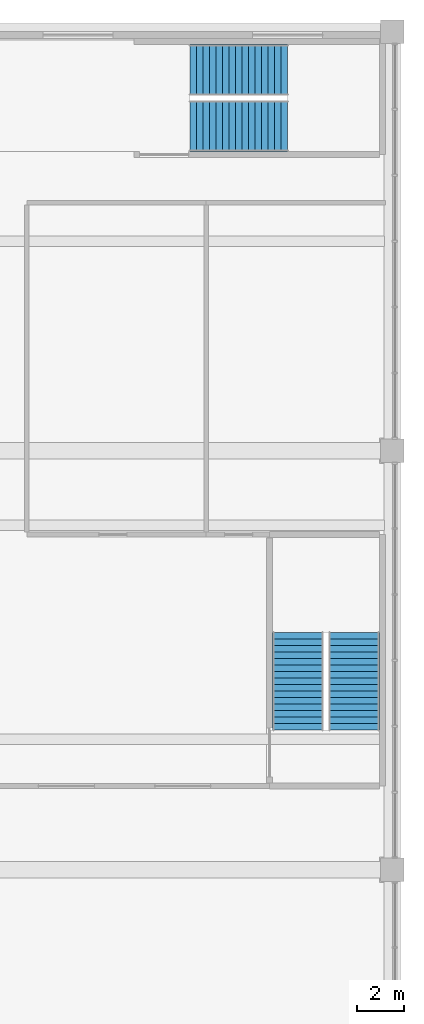
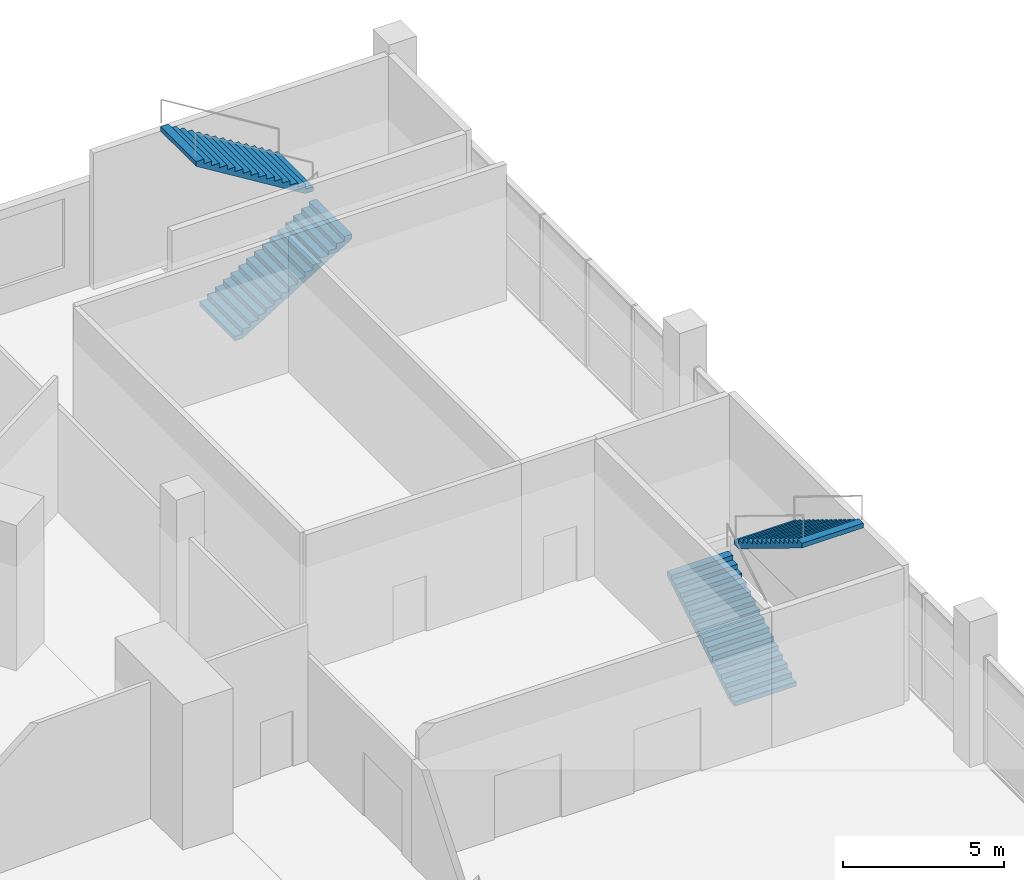
# One storey, part 14 of 16: 4 stair flights, 2 elements without a shape of their own.
"""IFC4 building model written with IfcOpenShell, lengths in metres."""

from ifc_helpers import new_model, si_unit, direction, frame, origin, place, context, subcontext, project, spatial, triangles, source, transform, mapped, material, type_object, element, aggregate, save


model = new_model("IFC4")

# Units and contexts
model_context = context("Model", 3, precision=1e-05, world=origin(), true_north=direction((0.0, 1.0)))
body_context = subcontext(model_context, "Body", "Model", "MODEL_VIEW")
ifc_project = project(units=[si_unit("LENGTHUNIT", "METRE"), si_unit("AREAUNIT", "SQUARE_METRE"), si_unit("VOLUMEUNIT", "CUBIC_METRE"), si_unit("PLANEANGLEUNIT", "RADIAN"), si_unit("MASSUNIT", "GRAM", prefix="KILO")], contexts=[model_context])

# Site, building, storey
site_placement = place(None, origin())
site = spatial("IfcSite", under=ifc_project, at=site_placement, CompositionType="ELEMENT")
building_placement = place(site_placement, origin())
building = spatial("IfcBuilding", under=site, at=building_placement, Name="Vanh Sen Convention Tower", CompositionType="ELEMENT")
storey_placement = place(building_placement, frame((0.0, 0.0, 29.0)))
storey = spatial("IfcBuildingStorey", under=building, at=storey_placement, Name="L04", CompositionType="ELEMENT", Elevation=29.0)

# Stair, stair flights
ifc_material = material(Name="Concrete C40/50", Category="concrete")
stair_type = type_object("IfcStairType", Name="Podium exit stair 2200", PredefinedType="HALF_TURN_STAIR", material=ifc_material)
stair_1_placement = place(storey_placement, origin())
stair_1 = element("IfcStair", 1, at=stair_1_placement, inside=storey, type_object=stair_type, Name="Exit stair PS1 L04", PredefinedType="HALF_TURN_STAIR")
stair_flight_type = type_object("IfcStairFlightType", Name="Podium exit stair flight 2200", PredefinedType="STRAIGHT", material=ifc_material)
shared_shape = source(origin(), body_context, "Body", "Tessellation", [
    triangles([(0.28662109375, 1.10009765625, 0.0), (0.0, 1.10009765625, 0.0), (0.0, 1.10009765625, 0.171875), (0.280029296875, 1.10009765625, 0.171875), (0.280029296875, 1.10009765625, 0.34375), (0.56005859375, 1.10009765625, 0.34375), (0.56005859375, 1.10009765625, 0.515625), (0.840087890625, 1.10009765625, 0.515625), (0.840087890625, 1.10009765625, 0.6875), (1.1201171875, 1.10009765625, 0.6875), (1.1201171875, 1.10009765625, 0.859375), (1.39990234375, 1.10009765625, 0.859375), (1.39990234375, 1.10009765625, 1.03125), (1.679931640625, 1.10009765625, 1.03125), (1.679931640625, 1.10009765625, 1.203125), (1.9599609375, 1.10009765625, 1.203125), (1.9599609375, 1.10009765625, 1.375), (2.239990234375, 1.10009765625, 1.375), (2.239990234375, 1.10009765625, 1.546875), (2.52001953125, 1.10009765625, 1.546875), (2.52001953125, 1.10009765625, 1.71875), (2.800048828125, 1.10009765625, 1.71875), (2.800048828125, 1.10009765625, 1.890625), (3.080078125, 1.10009765625, 1.890625), (3.080078125, 1.10009765625, 2.0625), (3.360107421875, 1.10009765625, 2.0625), (3.360107421875, 1.10009765625, 2.234375), (3.639892578125, 1.10009765625, 2.234375), (3.639892578125, 1.10009765625, 2.40625), (3.919921875, 1.10009765625, 2.40625), (3.919921875, 1.10009765625, 2.578125), (4.199951171875, 1.10009765625, 2.578125), (4.199951171875, 1.10009765625, 2.40234375), (0.28662109375, -1.10009765625, 0.0), (0.0, -1.10009765625, 0.0), (0.0, -1.10009765625, 0.171875), (0.280029296875, -1.10009765625, 0.171875), (0.280029296875, -1.10009765625, 0.34375), (0.56005859375, -1.10009765625, 0.34375), (0.56005859375, -1.10009765625, 0.515625), (0.840087890625, -1.10009765625, 0.515625), (0.840087890625, -1.10009765625, 0.6875), (1.1201171875, -1.10009765625, 0.6875), (1.1201171875, -1.10009765625, 0.859375), (1.39990234375, -1.10009765625, 0.859375), (1.39990234375, -1.10009765625, 1.03125), (1.679931640625, -1.10009765625, 1.03125), (1.679931640625, -1.10009765625, 1.203125), (1.9599609375, -1.10009765625, 1.203125), (1.9599609375, -1.10009765625, 1.375), (2.239990234375, -1.10009765625, 1.375), (2.239990234375, -1.10009765625, 1.546875), (2.52001953125, -1.10009765625, 1.546875), (2.52001953125, -1.10009765625, 1.71875), (2.800048828125, -1.10009765625, 1.71875), (2.800048828125, -1.10009765625, 1.890625), (3.080078125, -1.10009765625, 1.890625), (3.080078125, -1.10009765625, 2.0625), (3.360107421875, -1.10009765625, 2.0625), (3.360107421875, -1.10009765625, 2.234375), (3.639892578125, -1.10009765625, 2.234375), (3.639892578125, -1.10009765625, 2.40625), (3.919921875, -1.10009765625, 2.40625), (3.919921875, -1.10009765625, 2.578125), (4.199951171875, -1.10009765625, 2.578125), (4.199951171875, -1.10009765625, 2.40234375), (0.0, 0.0439453125, 0.0), (0.0, 0.04296875, 0.0), (0.0, 0.0419921875, 0.0), (0.0, 0.04052734375, 0.0), (0.0, 0.03955078125, 0.0), (0.0, 0.03857421875, 0.0), (0.0, 0.03759765625, 0.0), (0.0, 0.0361328125, 0.0), (0.0, 0.03515625, 0.0), (0.0, 0.0341796875, 0.0), (0.0, 0.033203125, 0.0), (0.0, 0.03173828125, 0.0), (0.0, 0.03076171875, 0.0), (0.0, 0.02978515625, 0.0), (0.0, 0.02880859375, 0.0), (0.0, 0.02734375, 0.0), (0.0, 0.0263671875, 0.0), (0.0, 0.025390625, 0.0), (0.0, 0.0244140625, 0.0), (0.0, 0.02294921875, 0.0), (0.0, 0.02197265625, 0.0), (0.0, 0.02099609375, 0.0), (0.0, 0.02001953125, 0.0), (0.0, 0.0185546875, 0.0), (0.0, 0.017578125, 0.0), (0.0, 0.0166015625, 0.0), (0.0, 0.015625, 0.0), (0.0, 0.01416015625, 0.0), (0.0, 0.01318359375, 0.0), (0.0, 0.01220703125, 0.0), (0.0, 0.01123046875, 0.0), (0.0, 0.009765625, 0.0), (0.0, 0.0087890625, 0.0), (0.0, 0.0078125, 0.0), (0.0, 0.0068359375, 0.0), (0.0, 0.00537109375, 0.0), (0.0, 0.00439453125, 0.0), (0.0, 0.00341796875, 0.0), (0.0, 0.00244140625, 0.0), (0.0, 0.0009765625, 0.0), (0.0, 0.0, 0.0), (0.0, -0.0009765625, 0.0), (0.0, -0.00244140625, 0.0), (0.0, -0.00341796875, 0.0), (0.0, -0.00439453125, 0.0), (0.0, -0.00537109375, 0.0), (0.0, -0.0068359375, 0.0), (0.0, -0.0078125, 0.0), (0.0, -0.0087890625, 0.0), (0.0, -0.009765625, 0.0), (0.0, -0.01123046875, 0.0), (0.0, -0.01220703125, 0.0), (0.0, -0.01318359375, 0.0), (0.0, -0.01416015625, 0.0), (0.0, -0.015625, 0.0), (0.0, -0.0166015625, 0.0), (0.0, -0.017578125, 0.0), (0.0, -0.0185546875, 0.0), (0.0, -0.02001953125, 0.0), (0.0, -0.02099609375, 0.0), (0.0, -0.02197265625, 0.0), (0.0, -0.02294921875, 0.0), (0.0, -0.0244140625, 0.0), (0.0, -0.025390625, 0.0), (0.0, -0.0263671875, 0.0), (0.0, -0.02734375, 0.0), (0.0, -0.02880859375, 0.0), (0.0, -0.02978515625, 0.0), (0.0, -0.03076171875, 0.0), (0.0, -0.03173828125, 0.0), (0.0, -0.033203125, 0.0), (0.0, -0.0341796875, 0.0), (0.0, -0.03515625, 0.0), (0.0, -0.0361328125, 0.0), (0.0, -0.03759765625, 0.0), (0.0, -0.03857421875, 0.0), (0.0, -0.03955078125, 0.0), (0.0, -0.04052734375, 0.0), (0.0, -0.0419921875, 0.0), (0.0, -0.04296875, 0.0), (0.0, -0.0439453125, 0.0), (0.0, 0.0439453125, 0.171875), (0.0, 0.04296875, 0.171875), (0.0, 0.0419921875, 0.171875), (0.0, 0.04052734375, 0.171875), (0.0, 0.03955078125, 0.171875), (0.0, 0.03857421875, 0.171875), (0.0, 0.03759765625, 0.171875), (0.0, 0.0361328125, 0.171875), (0.0, 0.03515625, 0.171875), (0.0, 0.0341796875, 0.171875), (0.0, 0.033203125, 0.171875), (0.0, 0.03173828125, 0.171875), (0.0, 0.03076171875, 0.171875), (0.0, 0.02978515625, 0.171875), (0.0, 0.02880859375, 0.171875), (0.0, 0.02734375, 0.171875), (0.0, 0.0263671875, 0.171875), (0.0, 0.025390625, 0.171875), (0.0, 0.0244140625, 0.171875), (0.0, 0.02294921875, 0.171875), (0.0, 0.02197265625, 0.171875), (0.0, 0.02099609375, 0.171875), (0.0, 0.02001953125, 0.171875), (0.0, 0.0185546875, 0.171875), (0.0, 0.017578125, 0.171875), (0.0, 0.0166015625, 0.171875), (0.0, 0.015625, 0.171875), (0.0, 0.01416015625, 0.171875), (0.0, 0.01318359375, 0.171875), (0.0, 0.01220703125, 0.171875), (0.0, 0.01123046875, 0.171875), (0.0, 0.009765625, 0.171875), (0.0, 0.0087890625, 0.171875), (0.0, 0.0078125, 0.171875), (0.0, 0.0068359375, 0.171875), (0.0, 0.00537109375, 0.171875), (0.0, 0.00439453125, 0.171875), (0.0, 0.00341796875, 0.171875), (0.0, 0.00244140625, 0.171875), (0.0, 0.0009765625, 0.171875), (0.0, 0.0, 0.171875), (0.0, -0.0009765625, 0.171875), (0.0, -0.00244140625, 0.171875), (0.0, -0.00341796875, 0.171875), (0.0, -0.00439453125, 0.171875), (0.0, -0.00537109375, 0.171875), (0.0, -0.0068359375, 0.171875), (0.0, -0.0078125, 0.171875), (0.0, -0.0087890625, 0.171875), (0.0, -0.009765625, 0.171875), (0.0, -0.01123046875, 0.171875), (0.0, -0.01220703125, 0.171875), (0.0, -0.01318359375, 0.171875), (0.0, -0.01416015625, 0.171875), (0.0, -0.015625, 0.171875), (0.0, -0.0166015625, 0.171875), (0.0, -0.017578125, 0.171875), (0.0, -0.0185546875, 0.171875), (0.0, -0.02001953125, 0.171875), (0.0, -0.02099609375, 0.171875), (0.0, -0.02197265625, 0.171875), (0.0, -0.02294921875, 0.171875), (0.0, -0.0244140625, 0.171875), (0.0, -0.025390625, 0.171875), (0.0, -0.0263671875, 0.171875), (0.0, -0.02734375, 0.171875), (0.0, -0.02880859375, 0.171875), (0.0, -0.02978515625, 0.171875), (0.0, -0.03076171875, 0.171875), (0.0, -0.03173828125, 0.171875), (0.0, -0.033203125, 0.171875), (0.0, -0.0341796875, 0.171875), (0.0, -0.03515625, 0.171875), (0.0, -0.0361328125, 0.171875), (0.0, -0.03759765625, 0.171875), (0.0, -0.03857421875, 0.171875), (0.0, -0.03955078125, 0.171875), (0.0, -0.04052734375, 0.171875), (0.0, -0.0419921875, 0.171875), (0.0, -0.04296875, 0.171875), (0.0, -0.0439453125, 0.171875), (0.280029296875, 0.0, 0.171875), (0.280029296875, 0.0, 0.34375), (0.56005859375, 0.0, 0.34375), (0.56005859375, 0.0, 0.515625), (0.840087890625, 0.0, 0.515625), (0.840087890625, 0.0, 0.6875), (1.1201171875, 0.0, 0.6875), (1.1201171875, 0.0, 0.859375), (1.39990234375, 0.0, 0.859375), (1.39990234375, 0.0, 1.03125), (1.679931640625, 0.0, 1.03125), (1.679931640625, 0.0, 1.203125), (1.9599609375, 0.0, 1.203125), (1.9599609375, 0.0, 1.375), (2.239990234375, 0.0, 1.375), (2.239990234375, 0.0, 1.546875), (2.52001953125, 0.0, 1.546875), (2.52001953125, 0.0, 1.71875), (2.800048828125, 0.0, 1.71875), (2.800048828125, 0.0, 1.890625), (3.080078125, 0.0, 1.890625), (3.080078125, 0.0, 2.0625), (3.360107421875, 0.0, 2.0625), (3.360107421875, 0.0, 2.234375), (3.639892578125, 0.0, 2.234375), (3.639892578125, 0.0, 2.40625), (3.919921875, 0.0, 2.40625), (3.919921875, 0.0, 2.578125), (4.199951171875, 0.0439453125, 2.578125), (4.199951171875, 0.04296875, 2.578125), (4.199951171875, 0.0419921875, 2.578125), (4.199951171875, 0.04052734375, 2.578125), (4.199951171875, 0.03955078125, 2.578125), (4.199951171875, 0.03857421875, 2.578125), (4.199951171875, 0.03759765625, 2.578125), (4.199951171875, 0.0361328125, 2.578125), (4.199951171875, 0.03515625, 2.578125), (4.199951171875, 0.0341796875, 2.578125), (4.199951171875, 0.033203125, 2.578125), (4.199951171875, 0.03173828125, 2.578125), (4.199951171875, 0.03076171875, 2.578125), (4.199951171875, 0.02978515625, 2.578125), (4.199951171875, 0.02880859375, 2.578125), (4.199951171875, 0.02734375, 2.578125), (4.199951171875, 0.0263671875, 2.578125), (4.199951171875, 0.025390625, 2.578125), (4.199951171875, 0.0244140625, 2.578125), (4.199951171875, 0.02294921875, 2.578125), (4.199951171875, 0.02197265625, 2.578125), (4.199951171875, 0.02099609375, 2.578125), (4.199951171875, 0.02001953125, 2.578125), (4.199951171875, 0.0185546875, 2.578125), (4.199951171875, 0.017578125, 2.578125), (4.199951171875, 0.0166015625, 2.578125), (4.199951171875, 0.015625, 2.578125), (4.199951171875, 0.01416015625, 2.578125), (4.199951171875, 0.01318359375, 2.578125), (4.199951171875, 0.01220703125, 2.578125), (4.199951171875, 0.01123046875, 2.578125), (4.199951171875, 0.009765625, 2.578125), (4.199951171875, 0.0087890625, 2.578125), (4.199951171875, 0.0078125, 2.578125), (4.199951171875, 0.0068359375, 2.578125), (4.199951171875, 0.00537109375, 2.578125), (4.199951171875, 0.00439453125, 2.578125), (4.199951171875, 0.00341796875, 2.578125), (4.199951171875, 0.00244140625, 2.578125), (4.199951171875, 0.0009765625, 2.578125), (4.199951171875, 0.0, 2.578125), (4.199951171875, -0.0009765625, 2.578125), (4.199951171875, -0.00244140625, 2.578125), (4.199951171875, -0.00341796875, 2.578125), (4.199951171875, -0.00439453125, 2.578125), (4.199951171875, -0.00537109375, 2.578125), (4.199951171875, -0.0068359375, 2.578125), (4.199951171875, -0.0078125, 2.578125), (4.199951171875, -0.0087890625, 2.578125), (4.199951171875, -0.009765625, 2.578125), (4.199951171875, -0.01123046875, 2.578125), (4.199951171875, -0.01220703125, 2.578125), (4.199951171875, -0.01318359375, 2.578125), (4.199951171875, -0.01416015625, 2.578125), (4.199951171875, -0.015625, 2.578125), (4.199951171875, -0.0166015625, 2.578125), (4.199951171875, -0.017578125, 2.578125), (4.199951171875, -0.0185546875, 2.578125), (4.199951171875, -0.02001953125, 2.578125), (4.199951171875, -0.02099609375, 2.578125), (4.199951171875, -0.02197265625, 2.578125), (4.199951171875, -0.02294921875, 2.578125), (4.199951171875, -0.0244140625, 2.578125), (4.199951171875, -0.025390625, 2.578125), (4.199951171875, -0.0263671875, 2.578125), (4.199951171875, -0.02734375, 2.578125), (4.199951171875, -0.02880859375, 2.578125), (4.199951171875, -0.02978515625, 2.578125), (4.199951171875, -0.03076171875, 2.578125), (4.199951171875, -0.03173828125, 2.578125), (4.199951171875, -0.033203125, 2.578125), (4.199951171875, -0.0341796875, 2.578125), (4.199951171875, -0.03515625, 2.578125), (4.199951171875, -0.0361328125, 2.578125), (4.199951171875, -0.03759765625, 2.578125), (4.199951171875, -0.03857421875, 2.578125), (4.199951171875, -0.03955078125, 2.578125), (4.199951171875, -0.04052734375, 2.578125), (4.199951171875, -0.0419921875, 2.578125), (4.199951171875, -0.04296875, 2.578125), (4.199951171875, -0.0439453125, 2.578125), (4.199951171875, 0.0439453125, 2.40234375), (4.199951171875, 0.04296875, 2.40234375), (4.199951171875, 0.0419921875, 2.40234375), (4.199951171875, 0.04052734375, 2.40234375), (4.199951171875, 0.03955078125, 2.40234375), (4.199951171875, 0.03857421875, 2.40234375), (4.199951171875, 0.03759765625, 2.40234375), (4.199951171875, 0.0361328125, 2.40234375), (4.199951171875, 0.03515625, 2.40234375), (4.199951171875, 0.0341796875, 2.40234375), (4.199951171875, 0.033203125, 2.40234375), (4.199951171875, 0.03173828125, 2.40234375), (4.199951171875, 0.03076171875, 2.40234375), (4.199951171875, 0.02978515625, 2.40234375), (4.199951171875, 0.02880859375, 2.40234375), (4.199951171875, 0.02734375, 2.40234375), (4.199951171875, 0.0263671875, 2.40234375), (4.199951171875, 0.025390625, 2.40234375), (4.199951171875, 0.0244140625, 2.40234375), (4.199951171875, 0.02294921875, 2.40234375), (4.199951171875, 0.02197265625, 2.40234375), (4.199951171875, 0.02099609375, 2.40234375), (4.199951171875, 0.02001953125, 2.40234375), (4.199951171875, 0.0185546875, 2.40234375), (4.199951171875, 0.017578125, 2.40234375), (4.199951171875, 0.0166015625, 2.40234375), (4.199951171875, 0.015625, 2.40234375), (4.199951171875, 0.01416015625, 2.40234375), (4.199951171875, 0.01318359375, 2.40234375), (4.199951171875, 0.01220703125, 2.40234375), (4.199951171875, 0.01123046875, 2.40234375), (4.199951171875, 0.009765625, 2.40234375), (4.199951171875, 0.0087890625, 2.40234375), (4.199951171875, 0.0078125, 2.40234375), (4.199951171875, 0.0068359375, 2.40234375), (4.199951171875, 0.00537109375, 2.40234375), (4.199951171875, 0.00439453125, 2.40234375), (4.199951171875, 0.00341796875, 2.40234375), (4.199951171875, 0.00244140625, 2.40234375), (4.199951171875, 0.0009765625, 2.40234375), (4.199951171875, 0.0, 2.40234375), (4.199951171875, -0.0009765625, 2.40234375), (4.199951171875, -0.00244140625, 2.40234375), (4.199951171875, -0.00341796875, 2.40234375), (4.199951171875, -0.00439453125, 2.40234375), (4.199951171875, -0.00537109375, 2.40234375), (4.199951171875, -0.0068359375, 2.40234375), (4.199951171875, -0.0078125, 2.40234375), (4.199951171875, -0.0087890625, 2.40234375), (4.199951171875, -0.009765625, 2.40234375), (4.199951171875, -0.01123046875, 2.40234375), (4.199951171875, -0.01220703125, 2.40234375), (4.199951171875, -0.01318359375, 2.40234375), (4.199951171875, -0.01416015625, 2.40234375), (4.199951171875, -0.015625, 2.40234375), (4.199951171875, -0.0166015625, 2.40234375), (4.199951171875, -0.017578125, 2.40234375), (4.199951171875, -0.0185546875, 2.40234375), (4.199951171875, -0.02001953125, 2.40234375), (4.199951171875, -0.02099609375, 2.40234375), (4.199951171875, -0.02197265625, 2.40234375), (4.199951171875, -0.02294921875, 2.40234375), (4.199951171875, -0.0244140625, 2.40234375), (4.199951171875, -0.025390625, 2.40234375), (4.199951171875, -0.0263671875, 2.40234375), (4.199951171875, -0.02734375, 2.40234375), (4.199951171875, -0.02880859375, 2.40234375), (4.199951171875, -0.02978515625, 2.40234375), (4.199951171875, -0.03076171875, 2.40234375), (4.199951171875, -0.03173828125, 2.40234375), (4.199951171875, -0.033203125, 2.40234375), (4.199951171875, -0.0341796875, 2.40234375), (4.199951171875, -0.03515625, 2.40234375), (4.199951171875, -0.0361328125, 2.40234375), (4.199951171875, -0.03759765625, 2.40234375), (4.199951171875, -0.03857421875, 2.40234375), (4.199951171875, -0.03955078125, 2.40234375), (4.199951171875, -0.04052734375, 2.40234375), (4.199951171875, -0.0419921875, 2.40234375), (4.199951171875, -0.04296875, 2.40234375), (4.199951171875, -0.0439453125, 2.40234375), (0.28662109375, 0.0, 0.0)], [[1, 2, 3], [1, 3, 4], [1, 4, 5], [1, 5, 6], [6, 7, 8], [1, 6, 8], [8, 9, 10], [1, 8, 10], [10, 11, 12], [1, 10, 12], [12, 13, 14], [1, 12, 14], [14, 15, 16], [1, 14, 16], [16, 17, 18], [1, 16, 18], [18, 19, 20], [1, 18, 20], [20, 21, 22], [1, 20, 22], [22, 23, 24], [1, 22, 24], [24, 25, 26], [1, 24, 26], [26, 27, 28], [1, 26, 28], [28, 29, 30], [1, 28, 30], [30, 31, 32], [1, 30, 32], [32, 33, 1], [34, 36, 35], [34, 37, 36], [34, 38, 37], [34, 39, 38], [39, 41, 40], [34, 41, 39], [41, 43, 42], [34, 43, 41], [43, 45, 44], [34, 45, 43], [45, 47, 46], [34, 47, 45], [47, 49, 48], [34, 49, 47], [49, 51, 50], [34, 51, 49], [51, 53, 52], [34, 53, 51], [53, 55, 54], [34, 55, 53], [55, 57, 56], [34, 57, 55], [57, 59, 58], [34, 59, 57], [59, 61, 60], [34, 61, 59], [61, 63, 62], [34, 63, 61], [63, 65, 64], [34, 65, 63], [65, 34, 66], [2, 148, 3], [2, 67, 148], [67, 149, 148], [67, 68, 149], [68, 150, 149], [68, 69, 150], [69, 151, 150], [69, 70, 151], [70, 152, 151], [70, 71, 152], [71, 153, 152], [71, 72, 153], [72, 154, 153], [72, 73, 154], [73, 155, 154], [73, 74, 155], [74, 156, 155], [74, 75, 156], [75, 157, 156], [75, 76, 157], [76, 158, 157], [76, 77, 158], [77, 159, 158], [77, 78, 159], [78, 160, 159], [78, 79, 160], [79, 161, 160], [79, 80, 161], [80, 162, 161], [80, 81, 162], [81, 163, 162], [81, 82, 163], [82, 164, 163], [82, 83, 164], [83, 165, 164], [83, 84, 165], [84, 166, 165], [84, 85, 166], [85, 167, 166], [85, 86, 167], [86, 168, 167], [86, 87, 168], [87, 169, 168], [87, 88, 169], [88, 170, 169], [88, 89, 170], [89, 171, 170], [89, 90, 171], [90, 172, 171], [90, 91, 172], [91, 173, 172], [91, 92, 173], [92, 174, 173], [92, 93, 174], [93, 175, 174], [93, 94, 175], [94, 176, 175], [94, 95, 176], [95, 177, 176], [95, 96, 177], [96, 178, 177], [96, 97, 178], [97, 179, 178], [97, 98, 179], [98, 180, 179], [98, 99, 180], [99, 181, 180], [99, 100, 181], [100, 182, 181], [100, 101, 182], [101, 183, 182], [101, 102, 183], [102, 184, 183], [102, 103, 184], [103, 185, 184], [103, 104, 185], [104, 186, 185], [104, 105, 186], [105, 187, 186], [105, 106, 187], [106, 188, 187], [106, 107, 188], [107, 108, 188], [188, 108, 189], [108, 109, 189], [189, 109, 190], [109, 110, 190], [190, 110, 191], [110, 111, 191], [191, 111, 192], [111, 112, 192], [192, 112, 193], [112, 113, 193], [193, 113, 194], [113, 114, 194], [194, 114, 195], [114, 115, 195], [195, 115, 196], [115, 116, 196], [196, 116, 197], [116, 117, 197], [197, 117, 198], [117, 118, 198], [198, 118, 199], [118, 119, 199], [199, 119, 200], [119, 120, 200], [200, 120, 201], [120, 121, 201], [201, 121, 202], [121, 122, 202], [202, 122, 203], [122, 123, 203], [203, 123, 204], [123, 124, 204], [204, 124, 205], [124, 125, 205], [205, 125, 206], [125, 126, 206], [206, 126, 207], [126, 127, 207], [207, 127, 208], [127, 128, 208], [208, 128, 209], [128, 129, 209], [209, 129, 210], [129, 130, 210], [210, 130, 211], [130, 131, 211], [211, 131, 212], [131, 132, 212], [212, 132, 213], [132, 133, 213], [213, 133, 214], [133, 134, 214], [214, 134, 215], [134, 135, 215], [215, 135, 216], [135, 136, 216], [216, 136, 217], [136, 137, 217], [217, 137, 218], [137, 138, 218], [218, 138, 219], [138, 139, 219], [219, 139, 220], [139, 140, 220], [220, 140, 221], [140, 141, 221], [221, 141, 222], [141, 142, 222], [222, 142, 223], [142, 143, 223], [223, 143, 224], [143, 144, 224], [224, 144, 225], [144, 145, 225], [225, 145, 226], [145, 146, 226], [226, 146, 227], [146, 147, 227], [227, 147, 228], [147, 35, 228], [228, 35, 36], [4, 3, 148], [4, 148, 149], [4, 149, 150], [4, 150, 151], [4, 151, 152], [4, 152, 153], [4, 153, 154], [4, 154, 155], [4, 155, 156], [4, 156, 157], [4, 157, 158], [4, 158, 159], [4, 159, 160], [4, 160, 161], [4, 161, 162], [4, 162, 163], [4, 163, 164], [4, 164, 165], [4, 165, 166], [4, 166, 167], [4, 167, 168], [4, 168, 169], [4, 169, 170], [4, 170, 171], [4, 171, 172], [4, 172, 173], [4, 173, 174], [4, 174, 175], [4, 175, 176], [4, 176, 177], [4, 177, 178], [4, 178, 179], [4, 179, 180], [4, 180, 181], [4, 181, 182], [4, 182, 183], [4, 183, 184], [4, 184, 185], [4, 185, 186], [4, 186, 187], [4, 187, 188], [37, 188, 189], [37, 189, 190], [37, 190, 191], [37, 191, 192], [37, 192, 193], [37, 193, 194], [37, 194, 195], [37, 195, 196], [37, 196, 197], [37, 197, 198], [37, 198, 199], [37, 199, 200], [37, 200, 201], [37, 201, 202], [37, 202, 203], [37, 203, 204], [37, 204, 205], [37, 205, 206], [37, 206, 207], [37, 207, 208], [37, 208, 209], [37, 209, 210], [37, 210, 211], [37, 211, 212], [37, 212, 213], [37, 213, 214], [37, 214, 215], [37, 215, 216], [37, 216, 217], [37, 217, 218], [37, 218, 219], [37, 219, 220], [37, 220, 221], [37, 221, 222], [37, 222, 223], [37, 223, 224], [37, 224, 225], [37, 225, 226], [37, 226, 227], [37, 227, 228], [37, 228, 36], [4, 188, 229], [37, 229, 188], [4, 230, 5], [4, 229, 230], [229, 37, 230], [230, 37, 38], [5, 231, 6], [5, 230, 231], [230, 38, 231], [231, 38, 39], [6, 232, 7], [6, 231, 232], [231, 39, 232], [232, 39, 40], [7, 233, 8], [7, 232, 233], [232, 40, 233], [233, 40, 41], [8, 234, 9], [8, 233, 234], [233, 41, 234], [234, 41, 42], [9, 235, 10], [9, 234, 235], [234, 42, 235], [235, 42, 43], [10, 236, 11], [10, 235, 236], [235, 43, 236], [236, 43, 44], [11, 237, 12], [11, 236, 237], [236, 44, 237], [237, 44, 45], [12, 238, 13], [12, 237, 238], [237, 45, 238], [238, 45, 46], [13, 239, 14], [13, 238, 239], [238, 46, 239], [239, 46, 47], [14, 240, 15], [14, 239, 240], [239, 47, 240], [240, 47, 48], [15, 241, 16], [15, 240, 241], [240, 48, 241], [241, 48, 49], [16, 242, 17], [16, 241, 242], [241, 49, 242], [242, 49, 50], [17, 243, 18], [17, 242, 243], [242, 50, 243], [243, 50, 51], [18, 244, 19], [18, 243, 244], [243, 51, 244], [244, 51, 52], [19, 245, 20], [19, 244, 245], [244, 52, 245], [245, 52, 53], [20, 246, 21], [20, 245, 246], [245, 53, 246], [246, 53, 54], [21, 247, 22], [21, 246, 247], [246, 54, 247], [247, 54, 55], [22, 248, 23], [22, 247, 248], [247, 55, 248], [248, 55, 56], [23, 249, 24], [23, 248, 249], [248, 56, 249], [249, 56, 57], [24, 250, 25], [24, 249, 250], [249, 57, 250], [250, 57, 58], [25, 251, 26], [25, 250, 251], [250, 58, 251], [251, 58, 59], [26, 252, 27], [26, 251, 252], [251, 59, 252], [252, 59, 60], [27, 253, 28], [27, 252, 253], [252, 60, 253], [253, 60, 61], [28, 254, 29], [28, 253, 254], [253, 61, 254], [254, 61, 62], [29, 255, 30], [29, 254, 255], [254, 62, 255], [255, 62, 63], [30, 256, 31], [30, 255, 256], [255, 63, 256], [256, 63, 64], [31, 257, 32], [31, 258, 257], [31, 259, 258], [31, 260, 259], [31, 261, 260], [31, 262, 261], [31, 263, 262], [31, 264, 263], [31, 265, 264], [31, 266, 265], [31, 267, 266], [31, 268, 267], [31, 269, 268], [31, 270, 269], [31, 271, 270], [31, 272, 271], [31, 273, 272], [31, 274, 273], [31, 275, 274], [31, 276, 275], [31, 277, 276], [31, 278, 277], [31, 279, 278], [31, 280, 279], [31, 281, 280], [31, 282, 281], [31, 283, 282], [31, 284, 283], [31, 285, 284], [31, 286, 285], [31, 287, 286], [31, 288, 287], [31, 289, 288], [31, 290, 289], [31, 291, 290], [31, 292, 291], [31, 293, 292], [31, 294, 293], [31, 295, 294], [31, 296, 295], [31, 297, 296], [64, 298, 297], [64, 299, 298], [64, 300, 299], [64, 301, 300], [64, 302, 301], [64, 303, 302], [64, 304, 303], [64, 305, 304], [64, 306, 305], [64, 307, 306], [64, 308, 307], [64, 309, 308], [64, 310, 309], [64, 311, 310], [64, 312, 311], [64, 313, 312], [64, 314, 313], [64, 315, 314], [64, 316, 315], [64, 317, 316], [64, 318, 317], [64, 319, 318], [64, 320, 319], [64, 321, 320], [64, 322, 321], [64, 323, 322], [64, 324, 323], [64, 325, 324], [64, 326, 325], [64, 327, 326], [64, 328, 327], [64, 329, 328], [64, 330, 329], [64, 331, 330], [64, 332, 331], [64, 333, 332], [64, 334, 333], [64, 335, 334], [64, 336, 335], [64, 337, 336], [64, 65, 337], [31, 256, 297], [64, 297, 256], [32, 338, 33], [32, 257, 338], [257, 339, 338], [257, 258, 339], [258, 340, 339], [258, 259, 340], [259, 341, 340], [259, 260, 341], [260, 342, 341], [260, 261, 342], [261, 343, 342], [261, 262, 343], [262, 344, 343], [262, 263, 344], [263, 345, 344], [263, 264, 345], [264, 346, 345], [264, 265, 346], [265, 347, 346], [265, 266, 347], [266, 348, 347], [266, 267, 348], [267, 349, 348], [267, 268, 349], [268, 350, 349], [268, 269, 350], [269, 351, 350], [269, 270, 351], [270, 352, 351], [270, 271, 352], [271, 353, 352], [271, 272, 353], [272, 354, 353], [272, 273, 354], [273, 355, 354], [273, 274, 355], [274, 356, 355], [274, 275, 356], [275, 357, 356], [275, 276, 357], [276, 358, 357], [276, 277, 358], [277, 359, 358], [277, 278, 359], [278, 360, 359], [278, 279, 360], [279, 361, 360], [279, 280, 361], [280, 362, 361], [280, 281, 362], [281, 363, 362], [281, 282, 363], [282, 364, 363], [282, 283, 364], [283, 365, 364], [283, 284, 365], [284, 366, 365], [284, 285, 366], [285, 367, 366], [285, 286, 367], [286, 368, 367], [286, 287, 368], [287, 369, 368], [287, 288, 369], [288, 370, 369], [288, 289, 370], [289, 371, 370], [289, 290, 371], [290, 372, 371], [290, 291, 372], [291, 373, 372], [291, 292, 373], [292, 374, 373], [292, 293, 374], [293, 375, 374], [293, 294, 375], [294, 376, 375], [294, 295, 376], [295, 377, 376], [295, 296, 377], [296, 378, 377], [296, 297, 378], [297, 298, 378], [378, 298, 379], [298, 299, 379], [379, 299, 380], [299, 300, 380], [380, 300, 381], [300, 301, 381], [381, 301, 382], [301, 302, 382], [382, 302, 383], [302, 303, 383], [383, 303, 384], [303, 304, 384], [384, 304, 385], [304, 305, 385], [385, 305, 386], [305, 306, 386], [386, 306, 387], [306, 307, 387], [387, 307, 388], [307, 308, 388], [388, 308, 389], [308, 309, 389], [389, 309, 390], [309, 310, 390], [390, 310, 391], [310, 311, 391], [391, 311, 392], [311, 312, 392], [392, 312, 393], [312, 313, 393], [393, 313, 394], [313, 314, 394], [394, 314, 395], [314, 315, 395], [395, 315, 396], [315, 316, 396], [396, 316, 397], [316, 317, 397], [397, 317, 398], [317, 318, 398], [398, 318, 399], [318, 319, 399], [399, 319, 400], [319, 320, 400], [400, 320, 401], [320, 321, 401], [401, 321, 402], [321, 322, 402], [402, 322, 403], [322, 323, 403], [403, 323, 404], [323, 324, 404], [404, 324, 405], [324, 325, 405], [405, 325, 406], [325, 326, 406], [406, 326, 407], [326, 327, 407], [407, 327, 408], [327, 328, 408], [408, 328, 409], [328, 329, 409], [409, 329, 410], [329, 330, 410], [410, 330, 411], [330, 331, 411], [411, 331, 412], [331, 332, 412], [412, 332, 413], [332, 333, 413], [413, 333, 414], [333, 334, 414], [414, 334, 415], [334, 335, 415], [415, 335, 416], [335, 336, 416], [416, 336, 417], [336, 337, 417], [417, 337, 418], [337, 65, 418], [418, 65, 66], [1, 33, 338], [1, 338, 339], [1, 339, 340], [1, 340, 341], [1, 341, 342], [1, 342, 343], [1, 343, 344], [1, 344, 345], [1, 345, 346], [1, 346, 347], [1, 347, 348], [1, 348, 349], [1, 349, 350], [1, 350, 351], [1, 351, 352], [1, 352, 353], [1, 353, 354], [1, 354, 355], [1, 355, 356], [1, 356, 357], [1, 357, 358], [1, 358, 359], [1, 359, 360], [1, 360, 361], [1, 361, 362], [1, 362, 363], [1, 363, 364], [1, 364, 365], [1, 365, 366], [1, 366, 367], [1, 367, 368], [1, 368, 369], [1, 369, 370], [1, 370, 371], [1, 371, 372], [1, 372, 373], [1, 373, 374], [1, 374, 375], [1, 375, 376], [1, 376, 377], [1, 377, 378], [34, 378, 379], [34, 379, 380], [34, 380, 381], [34, 381, 382], [34, 382, 383], [34, 383, 384], [34, 384, 385], [34, 385, 386], [34, 386, 387], [34, 387, 388], [34, 388, 389], [34, 389, 390], [34, 390, 391], [34, 391, 392], [34, 392, 393], [34, 393, 394], [34, 394, 395], [34, 395, 396], [34, 396, 397], [34, 397, 398], [34, 398, 399], [34, 399, 400], [34, 400, 401], [34, 401, 402], [34, 402, 403], [34, 403, 404], [34, 404, 405], [34, 405, 406], [34, 406, 407], [34, 407, 408], [34, 408, 409], [34, 409, 410], [34, 410, 411], [34, 411, 412], [34, 412, 413], [34, 413, 414], [34, 414, 415], [34, 415, 416], [34, 416, 417], [34, 417, 418], [34, 418, 66], [1, 378, 419], [34, 419, 378], [1, 67, 2], [1, 68, 67], [1, 69, 68], [1, 70, 69], [1, 71, 70], [1, 72, 71], [1, 73, 72], [1, 74, 73], [1, 75, 74], [1, 76, 75], [1, 77, 76], [1, 78, 77], [1, 79, 78], [1, 80, 79], [1, 81, 80], [1, 82, 81], [1, 83, 82], [1, 84, 83], [1, 85, 84], [1, 86, 85], [1, 87, 86], [1, 88, 87], [1, 89, 88], [1, 90, 89], [1, 91, 90], [1, 92, 91], [1, 93, 92], [1, 94, 93], [1, 95, 94], [1, 96, 95], [1, 97, 96], [1, 98, 97], [1, 99, 98], [1, 100, 99], [1, 101, 100], [1, 102, 101], [1, 103, 102], [1, 104, 103], [1, 105, 104], [1, 106, 105], [1, 107, 106], [34, 108, 107], [34, 109, 108], [34, 110, 109], [34, 111, 110], [34, 112, 111], [34, 113, 112], [34, 114, 113], [34, 115, 114], [34, 116, 115], [34, 117, 116], [34, 118, 117], [34, 119, 118], [34, 120, 119], [34, 121, 120], [34, 122, 121], [34, 123, 122], [34, 124, 123], [34, 125, 124], [34, 126, 125], [34, 127, 126], [34, 128, 127], [34, 129, 128], [34, 130, 129], [34, 131, 130], [34, 132, 131], [34, 133, 132], [34, 134, 133], [34, 135, 134], [34, 136, 135], [34, 137, 136], [34, 138, 137], [34, 139, 138], [34, 140, 139], [34, 141, 140], [34, 142, 141], [34, 143, 142], [34, 144, 143], [34, 145, 144], [34, 146, 145], [34, 147, 146], [34, 35, 147], [1, 419, 107], [34, 107, 419]], closed=True),
])
stair_flight_1_placement = place(storey_placement, frame((36.300048828125, 22.949951171875, 0.0), z_axis=(0.0, 0.0, 1.0), x_axis=(1.0, 0.0, 0.0)))
stair_flight_1 = element("IfcStairFlight", 2, at=stair_flight_1_placement, type_object=stair_flight_type, Name="PS1 flight 1", NumberOfRisers=16, NumberOfTreads=15, PredefinedType="STRAIGHT", RiserHeight=0.171875, TreadLength=0.28, context=body_context, shape_type="MappedRepresentation", body=[
    mapped(shared_shape, transform((0.0, 0.0, 0.0))),
])
stair_flight_2_placement = place(storey_placement, frame((40.5, 25.35009765625, 2.75), z_axis=(0.0, 0.0, 1.0), x_axis=(-1.0, 0.0, 0.0)))
stair_flight_2 = element("IfcStairFlight", 3, at=stair_flight_2_placement, type_object=stair_flight_type, Name="PS1 flight 2", NumberOfRisers=16, NumberOfTreads=15, PredefinedType="STRAIGHT", RiserHeight=0.171875, TreadLength=0.28, context=body_context, shape_type="MappedRepresentation", body=[
    mapped(shared_shape, transform((0.0, 0.0, 0.0))),
])
aggregate(stair_1, [stair_flight_1, stair_flight_2])

stair_2_placement = place(storey_placement, origin())
stair_2 = element("IfcStair", 4, at=stair_2_placement, inside=storey, type_object=stair_type, Name="Exit stair PS3 L04", PredefinedType="HALF_TURN_STAIR")
stair_flight_3_placement = place(storey_placement, frame((40.949951171875, -3.0, 0.0), z_axis=(0.0, 0.0, 1.0), x_axis=(0.0, 1.0, 0.0)))
stair_flight_3 = element("IfcStairFlight", 5, at=stair_flight_3_placement, type_object=stair_flight_type, Name="PS3 flight 1", NumberOfRisers=16, NumberOfTreads=15, PredefinedType="STRAIGHT", RiserHeight=0.171875, TreadLength=0.28, context=body_context, shape_type="MappedRepresentation", body=[
    mapped(shared_shape, transform((0.0, 0.0, 0.0))),
])
stair_flight_4_placement = place(storey_placement, frame((43.35009765625, 1.199951171875, 2.75), z_axis=(0.0, 0.0, 1.0), x_axis=(0.0, -1.0, 0.0)))
stair_flight_4 = element("IfcStairFlight", 6, at=stair_flight_4_placement, type_object=stair_flight_type, Name="PS3 flight 2", NumberOfRisers=16, NumberOfTreads=15, PredefinedType="STRAIGHT", RiserHeight=0.171875, TreadLength=0.28, context=body_context, shape_type="MappedRepresentation", body=[
    mapped(shared_shape, transform((0.0, 0.0, 0.0))),
])
aggregate(stair_2, [stair_flight_3, stair_flight_4])

save(model, "model.ifc")
